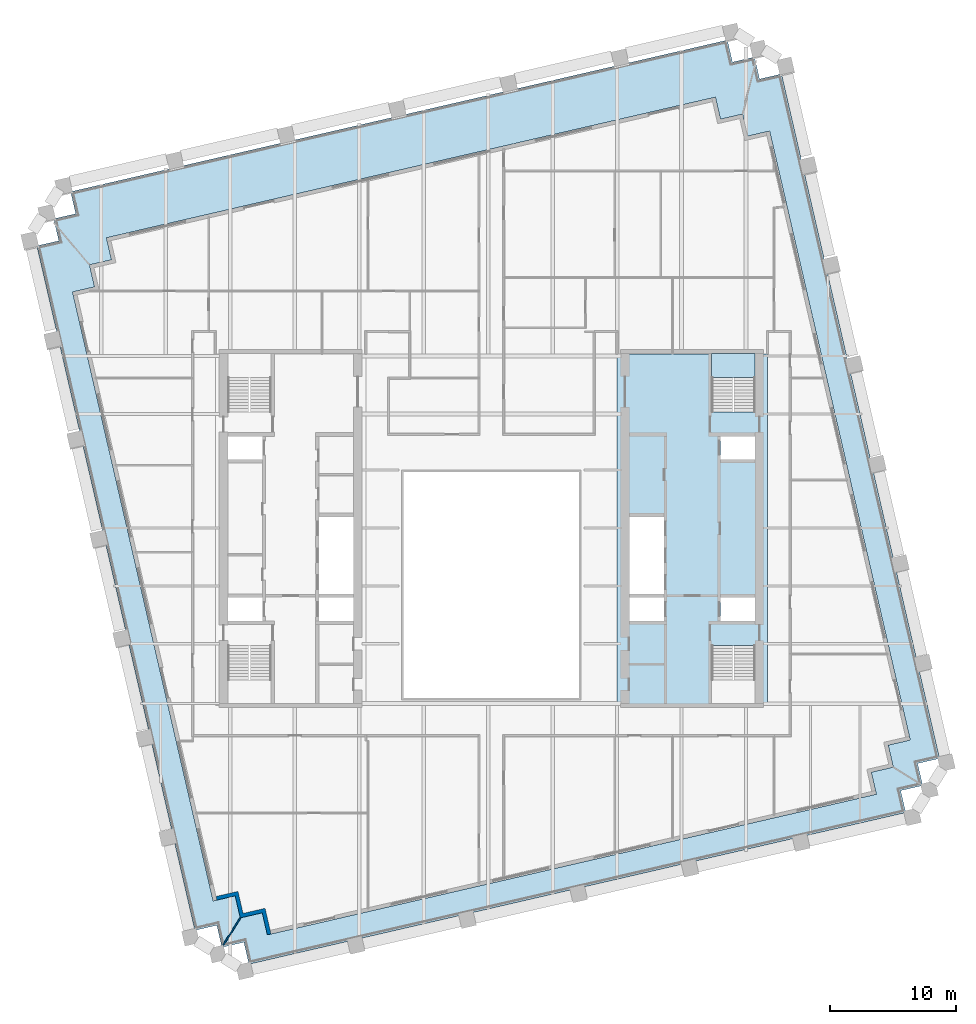
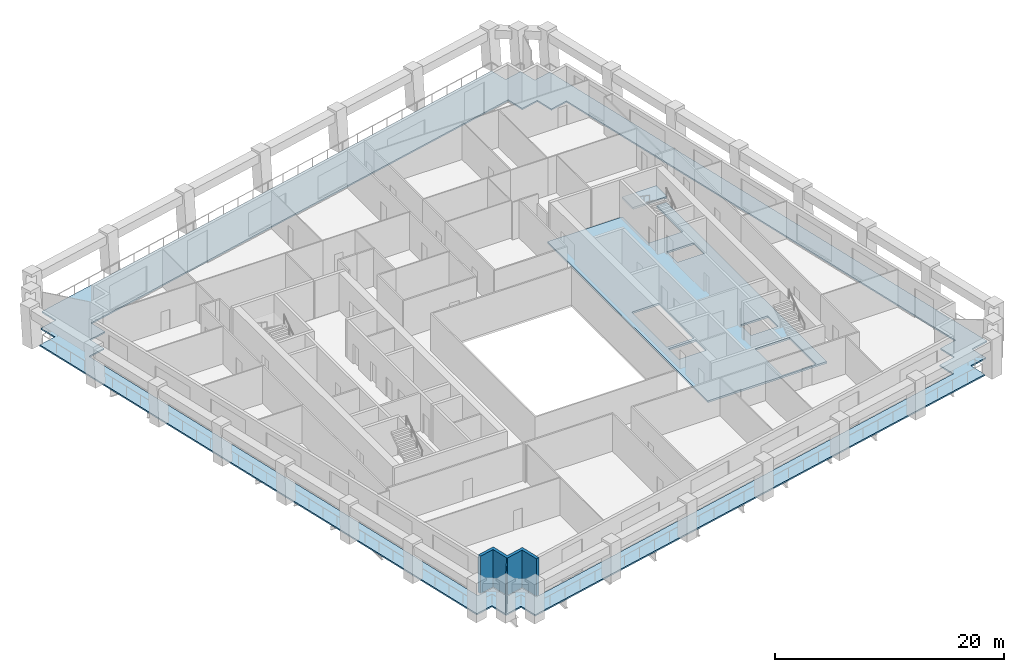
# One storey, part 3 of 10: 3 slabs, 2 walls, 1 element without a shape of its own.
"""IFC4 building model written with IfcOpenShell, lengths in metres."""

from ifc_helpers import new_model, si_unit, direction, frame, frame_2d, origin, place, context, subcontext, project, spatial, polyline, rectangle, outline, extrude, material, layer, layer_set, type_object, element, aggregate, save


model = new_model("IFC4")

# Units and contexts
model_context = context("Model", 3, precision=1e-05, world=origin(), true_north=direction((0.0, 1.0)))
body_context = subcontext(model_context, "Body", "Model", "MODEL_VIEW")
ifc_project = project(units=[si_unit("LENGTHUNIT", "METRE"), si_unit("AREAUNIT", "SQUARE_METRE"), si_unit("VOLUMEUNIT", "CUBIC_METRE"), si_unit("PLANEANGLEUNIT", "RADIAN"), si_unit("MASSUNIT", "GRAM", prefix="KILO")], contexts=[model_context])

# Site, building, storey
site_placement = place(None, origin())
site = spatial("IfcSite", under=ifc_project, at=site_placement, CompositionType="ELEMENT")
building_placement = place(site_placement, origin())
building = spatial("IfcBuilding", under=site, at=building_placement, Name="Ogive Exchange Tower", CompositionType="ELEMENT")
storey_placement = place(building_placement, frame((0.0, 0.0, 192.60009765625)))
storey = spatial("IfcBuildingStorey", under=building, at=storey_placement, Name="L42", CompositionType="ELEMENT", Elevation=192.60009765625)

# Slabs
ifc_material_1 = material(Name="Concrete C70/85", Category="concrete")
ifc_layer_1 = layer(ifc_material_1, 0.199951171875)
ifc_layer_set_1 = layer_set([ifc_layer_1], Name="Core floor slab 200")
slab_type_1 = type_object("IfcSlabType", Name="Core floor slab 200", PredefinedType="FLOOR", material=ifc_layer_set_1)
slab_1_placement = place(storey_placement, frame((0.0, 0.0, -0.2001953125)))
element("IfcSlab", 1, at=slab_1_placement, inside=storey, type_object=slab_type_1, Name="Core floor slab", PredefinedType="FLOOR", context=body_context, shape_type="SweptSolid", body=[
    extrude(outline(polyline([(22.0, 25.39990234375), (22.0, -2.60009765625), (10.0, -2.60009765625), (10.0, 25.39990234375), (17.550048828125, 25.39990234375), (17.550048828125, 20.803955078125), (21.0, 20.803955078125), (21.0, 25.39990234375), (22.0, 25.39990234375)]), holes=[polyline([(21.0, 2.196044921875), (17.550048828125, 2.196044921875), (17.550048828125, -2.449951171875), (21.0, -2.449951171875), (21.0, 2.196044921875)]), polyline([(13.75, 5.992919921875), (11.0, 5.992919921875), (11.0, 4.14990234375), (13.75, 4.14990234375), (13.75, 5.992919921875)]), polyline([(21.0, 5.992919921875), (18.25, 5.992919921875), (18.25, 4.14990234375), (21.0, 4.14990234375), (21.0, 5.992919921875)]), polyline([(11.0, 12.42138671875), (11.0, 6.29296875), (13.75, 6.29296875), (13.75, 12.42138671875), (11.0, 12.42138671875)]), polyline([(21.0, 18.85009765625), (18.25, 18.85009765625), (18.25, 17.007080078125), (21.0, 17.007080078125), (21.0, 18.85009765625)])]), origin(), (0.0, 0.0, 1.0), 0.2001953125),
])
ifc_material_2 = material(Name="Concrete C50/60", Category="concrete")
ifc_layer_2 = layer(ifc_material_2, 0.14990234375)
ifc_layer_set_2 = layer_set([ifc_layer_2], Name="Loggia deck 150")
slab_type_2 = type_object("IfcSlabType", Name="Loggia deck 150", PredefinedType="FLOOR", material=ifc_layer_set_2)
slab_2_placement = place(storey_placement, frame((0.0, 0.0, -0.2001953125)))
element("IfcSlab", 2, at=slab_2_placement, inside=storey, type_object=slab_type_2, Name="Loggia deck", PredefinedType="FLOOR", context=body_context, shape_type="SweptSolid", body=[
    extrude(outline(polyline([(-19.717041015625, -21.45556640625), (-21.470947265625, -21.860595703125), (-21.875732421875, -20.106689453125), (-23.629638671875, -20.51171875), (-36.219970703125, 34.022705078125), (-34.466064453125, 34.427734375), (-34.870849609375, 36.181640625), (-33.1171875, 36.58642578125), (-33.52197265625, 38.34033203125), (18.8017578125, 50.42041015625), (19.20654296875, 48.66650390625), (20.96044921875, 49.0712890625), (21.365478515625, 47.3173828125), (23.119140625, 47.722412109375), (35.70947265625, -6.81201171875), (33.95556640625, -7.217041015625), (34.360595703125, -8.970947265625), (32.606689453125, -9.375732421875), (33.01171875, -11.129638671875), (-19.31201171875, -23.20947265625), (-19.717041015625, -21.45556640625)]), holes=[polyline([(30.26806640625, -7.914306640625), (32.02197265625, -7.509521484375), (31.616943359375, -5.755615234375), (33.370849609375, -5.3505859375), (22.168212890625, 43.1728515625), (20.414306640625, 42.76806640625), (20.009521484375, 44.52197265625), (18.255615234375, 44.116943359375), (17.8505859375, 45.870849609375), (-30.6728515625, 34.668212890625), (-30.26806640625, 32.914306640625), (-32.02197265625, 32.509521484375), (-31.616943359375, 30.755615234375), (-33.370849609375, 30.3505859375), (-22.168212890625, -18.1728515625), (-20.414306640625, -17.76806640625), (-20.009521484375, -19.52197265625), (-18.255615234375, -19.116943359375), (-17.8505859375, -20.870849609375), (30.6728515625, -9.668212890625), (30.26806640625, -7.914306640625)])]), origin(), (0.0, 0.0, 1.0), 0.150146484375),
])

# Stair, slab
ifc_material_3 = material(Name="Concrete C40/50", Category="concrete")
stair_type = type_object("IfcStairType", Name="Exit stair 1650 wide", PredefinedType="HALF_TURN_STAIR", material=ifc_material_3)
stair_placement = place(storey_placement, origin())
stair = element("IfcStair", 3, at=stair_placement, inside=storey, type_object=stair_type, Name="L42 exit stair ST4", PredefinedType="HALF_TURN_STAIR")
ifc_layer_3 = layer(ifc_material_3, 0.199951171875)
ifc_layer_set_3 = layer_set([ifc_layer_3], Name="Stair landing 200 slab")
slab_type_3 = type_object("IfcSlabType", Name="Stair landing 200 slab", PredefinedType="LANDING", material=ifc_layer_set_3)
slab_3_placement = place(storey_placement, frame((0.0, 0.0, 1.89990234375)))
slab_3 = element("IfcSlab", 4, at=slab_3_placement, type_object=slab_type_3, Name="ST4 landing 1", PredefinedType="LANDING", context=body_context, shape_type="SweptSolid", body=[
    extrude(outline(polyline([(21.0, 23.550048828125), (21.0, 25.449951171875), (17.550048828125, 25.449951171875), (17.550048828125, 23.550048828125), (21.0, 23.550048828125)])), origin(), (0.0, 0.0, 1.0), 0.199951171875),
])
aggregate(stair, [slab_3])

# Walls
ifc_material_4 = material(Name="Precast concrete C40/50", Category="concrete")
ifc_layer_4 = layer(ifc_material_4, 0.300048828125)
ifc_layer_set_4 = layer_set([ifc_layer_4], Name="Limestone-faced wall 300")
wall_type_1 = type_object("IfcWallType", Name="Limestone-faced wall 300", PredefinedType="STANDARD", material=ifc_layer_set_4)
wall_1_placement = place(storey_placement, origin())
element("IfcWall", 5, at=wall_1_placement, inside=storey, type_object=wall_type_1, Name="External corner wall C4", PredefinedType="STANDARD", context=body_context, shape_type="SweptSolid", body=[
    extrude(outline(polyline([(-18.255615234375, -19.116943359375), (-20.009521484375, -19.52197265625), (-20.414306640625, -17.76806640625), (-21.8759765625, -18.10546875), (-21.943359375, -17.81298828125), (-20.189697265625, -17.408203125), (-19.78466796875, -19.162109375), (-18.03076171875, -18.757080078125), (-17.558349609375, -20.80322265625), (-17.8505859375, -20.870849609375), (-18.255615234375, -19.116943359375)])), origin(), (0.0, 0.0, 1.0), 4.0),
])
ifc_material_5 = material(Name="Laminated safety glass in steel frame", Category="steel")
ifc_layer_5 = layer(ifc_material_5, 0.10009765625)
ifc_layer_set_5 = layer_set([ifc_layer_5], Name="Loggia end screen 100")
wall_type_2 = type_object("IfcWallType", Name="Loggia end screen 100", PredefinedType="STANDARD", material=ifc_layer_set_5)
wall_2_placement = place(storey_placement, frame((-20.009521484375, -19.52197265625, -0.050048828125), z_axis=(0.0, 0.0, 1.0), x_axis=(-0.529920736377, -0.848047176257, 0.0)))
element("IfcWall", 6, at=wall_2_placement, inside=storey, type_object=wall_type_2, Name="Loggia end screen C4", PredefinedType="STANDARD", context=body_context, shape_type="SweptSolid", body=[
    extrude(rectangle(XDim=2.525634765625, YDim=0.10009765625, at=frame_2d((1.2626953125, 0.0))), origin(), (0.0, 0.0, 1.0), 4.050048828125),
])

save(model, "model.ifc")
